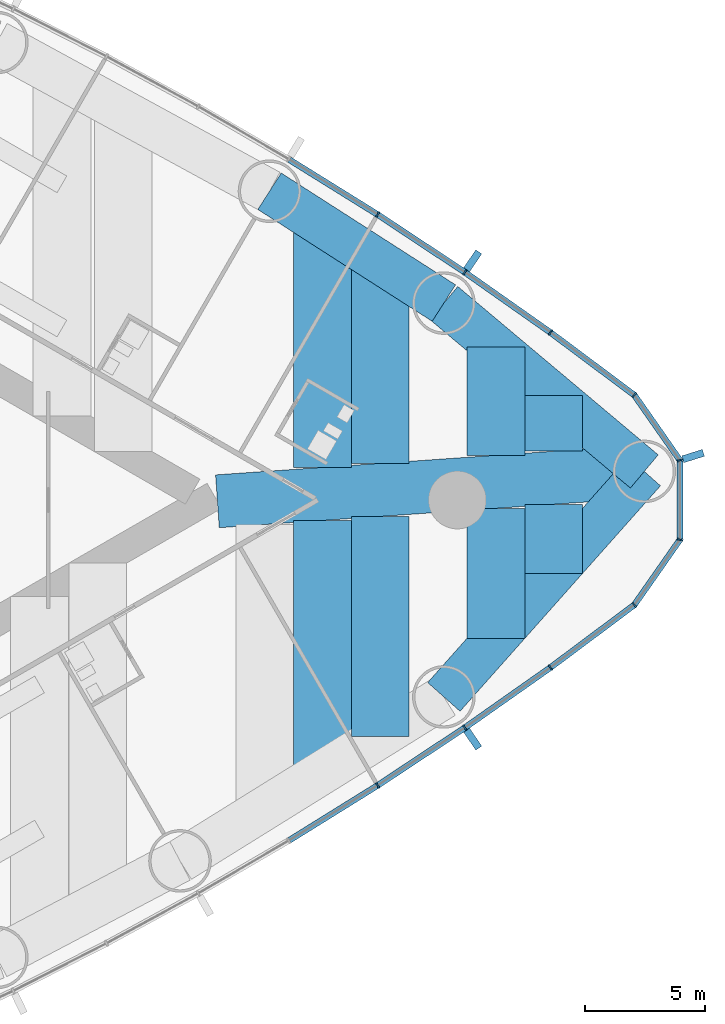
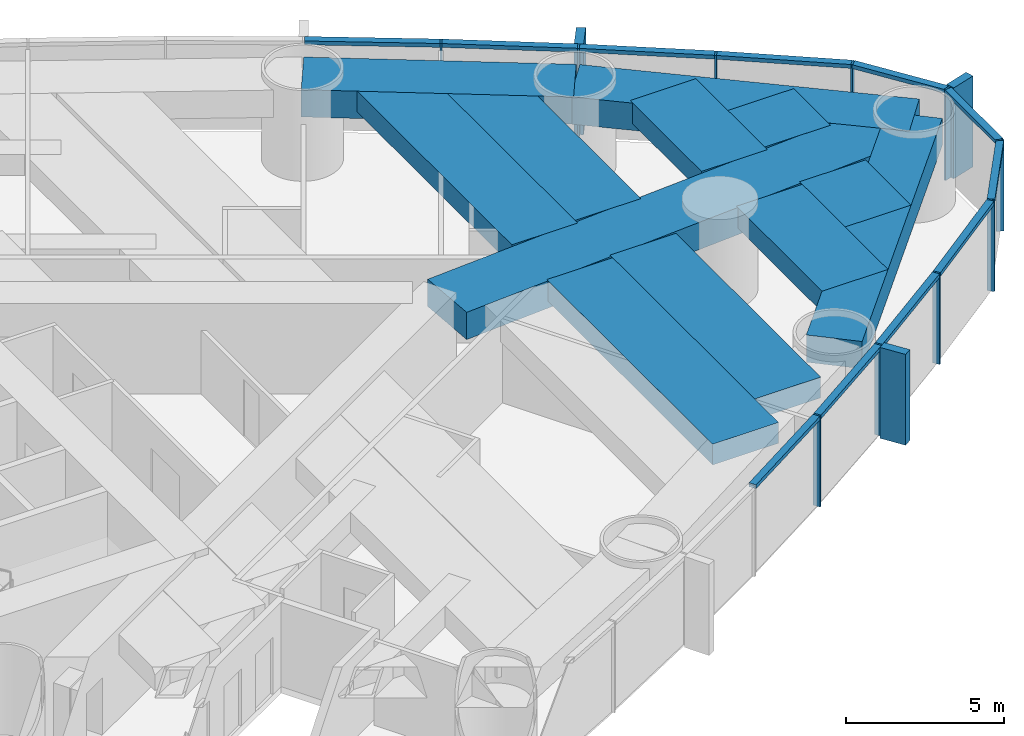
# One storey, part 8 of 18: 24 members, 12 beams, 1 element without a shape of its own.
"""IFC4 building model written with IfcOpenShell, lengths in metres."""

import ifcopenshell
import ifcopenshell.guid

model = None  # the IFC model being written
_history = None  # IfcOwnerHistory: only IFC2X3 demands one
_inside = {}  # id of a spatial element -> (the spatial element, [elements in it])
_under = {}  # id of a project, library or spatial element -> (it, [spatial elements below it])
_declared = {}  # id of a project -> (the project, [libraries it declares])
_typed = {}  # id of a type object -> (the type object, [elements of that type])
_made_of = {}  # id of a material, layer set ... -> (it, [elements and type objects made of it])


def new_model(schema):
    """Start an empty IFC model of exactly this schema.

    Asked for "IFC4X3", IfcOpenShell would pick the latest addendum, in which some entities
    have other attributes; the version numbers below select the first issue.
    IFC2X3 requires an IfcOwnerHistory on every rooted entity: one is made here for all.
    """
    global model, _history
    if schema == "IFC4X3":
        model = ifcopenshell.file(schema_version=(4, 3, 0, 0))
    else:
        model = ifcopenshell.file(schema=schema)
    _inside.clear()
    _under.clear()
    _declared.clear()
    _typed.clear()
    _made_of.clear()
    _history = None
    if model.schema == "IFC2X3":
        org = make("IfcOrganization", Name="unknown")
        user = make(
            "IfcPersonAndOrganization",
            ThePerson=make("IfcPerson", FamilyName="unknown"),
            TheOrganization=org,
        )
        app = make(
            "IfcApplication",
            ApplicationDeveloper=org,
            Version="unknown",
            ApplicationFullName="unknown",
            ApplicationIdentifier="unknown",
        )
        _history = make(
            "IfcOwnerHistory",
            OwningUser=user,
            OwningApplication=app,
            ChangeAction="ADDED",
            CreationDate=0,
        )
    return model


def make(cls, **values):
    """One entity of the class cls with the attributes given. An attribute that is None is left unset."""
    return model.create_entity(
        cls, **{name: value for name, value in values.items() if value is not None}
    )


def rooted(cls, **values):
    """An entity with a GlobalId (a new one), such as an element, a storey or a relation."""
    return make(cls, GlobalId=ifcopenshell.guid.new(), OwnerHistory=_history, **values)


def si_unit(unit_type, name, prefix=None):
    """IfcSIUnit, for example si_unit("LENGTHUNIT", "METRE", prefix="MILLI")."""
    return make("IfcSIUnit", UnitType=unit_type, Prefix=prefix, Name=name)


def assignment(units):
    """IfcUnitAssignment: the units of a project."""
    return None if units is None else make("IfcUnitAssignment", Units=units)


def point(xyz):
    """IfcCartesianPoint."""
    return None if xyz is None else make("IfcCartesianPoint", Coordinates=xyz)


def direction(xyz):
    """IfcDirection."""
    return None if xyz is None else make("IfcDirection", DirectionRatios=xyz)


def frame(location, z_axis=None, x_axis=None):
    """IfcAxis2Placement3D, a coordinate frame: its origin and axes. An axis left out is left unset."""
    return make(
        "IfcAxis2Placement3D",
        Location=point(location),
        Axis=direction(z_axis),
        RefDirection=direction(x_axis),
    )


def frame_2d(location, x_axis=None):
    """IfcAxis2Placement2D, a coordinate frame in the plane: its origin and x axis."""
    return make(
        "IfcAxis2Placement2D", Location=point(location), RefDirection=direction(x_axis)
    )


def origin():
    """The frame at (0, 0, 0) with its axes left unset."""
    return frame((0.0, 0.0, 0.0))


def origin_2d():
    """The frame at (0, 0) in the plane with its x axis left unset."""
    return frame_2d((0.0, 0.0))


def place(relative_to, where):
    """IfcLocalPlacement: puts the frame where relative to a parent placement (None: the world)."""
    return make(
        "IfcLocalPlacement", PlacementRelTo=relative_to, RelativePlacement=where
    )


def context(
    kind, dimensions, precision=None, world=None, true_north=None, identifier=None
):
    """IfcGeometricRepresentationContext, for example the 3D "Model" context."""
    return make(
        "IfcGeometricRepresentationContext",
        ContextIdentifier=identifier,
        ContextType=kind,
        CoordinateSpaceDimension=dimensions,
        Precision=precision,
        WorldCoordinateSystem=world,
        TrueNorth=true_north,
    )


def subcontext(parent, identifier, kind, view, scale=None):
    """IfcGeometricRepresentationSubContext, for example "Body" below "Model"."""
    return make(
        "IfcGeometricRepresentationSubContext",
        ContextIdentifier=identifier,
        ContextType=kind,
        ParentContext=parent,
        TargetScale=scale,
        TargetView=view,
    )


def project(units=None, contexts=None):
    """IfcProject with its units and contexts."""
    return rooted(
        "IfcProject",
        Name="project",
        RepresentationContexts=contexts,
        UnitsInContext=assignment(units),
    )


def spatial(cls, under=None, at=None, **own):
    """A site, building, storey or space (cls), placed at a placement, below another one or the project."""
    s = rooted(cls, ObjectPlacement=at, **own)
    if under is not None:
        _under.setdefault(under.id(), (under, []))[1].append(s)
    return s


def profile(cls, at=None, kind="AREA", **sizes):
    """A parametric profile (cls). Its sizes go by their IFC names, for example OverallWidth=200.0."""
    return make(cls, ProfileType=kind, Position=at, **sizes)


def rectangle(**sizes):
    """IfcRectangleProfileDef."""
    return profile("IfcRectangleProfileDef", **sizes)


def extrude(swept, where, along, depth):
    """IfcExtrudedAreaSolid: the profile swept, set in the frame where, extruded along a direction by depth."""
    return make(
        "IfcExtrudedAreaSolid",
        SweptArea=swept,
        Position=where,
        ExtrudedDirection=direction(along),
        Depth=depth,
    )


def shape(context_of_items, identifier, shape_type, items):
    """IfcShapeRepresentation: the items that make up one representation, for example the "Body"."""
    return make(
        "IfcShapeRepresentation",
        ContextOfItems=context_of_items,
        RepresentationIdentifier=identifier,
        RepresentationType=shape_type,
        Items=items,
    )


def material(Name=None, Category=None):
    """IfcMaterial."""
    return make("IfcMaterial", Name=Name, Category=Category)


def material_profile(
    of_material, cross_section, Name=None, Category=None, Priority=None
):
    """IfcMaterialProfile: a cross section and its material."""
    return make(
        "IfcMaterialProfile",
        Name=Name,
        Material=of_material,
        Profile=cross_section,
        Priority=Priority,
        Category=Category,
    )


def profile_set(profiles, Name=None, composite=None):
    """IfcMaterialProfileSet."""
    return make(
        "IfcMaterialProfileSet",
        Name=Name,
        MaterialProfiles=profiles,
        CompositeProfile=composite,
    )


def made_of(thing, what):
    """Note that an element or type object is made of a material, layer set ...; save() writes the relation."""
    if what is not None:
        _made_of.setdefault(what.id(), (what, []))[1].append(thing)
    return thing


def type_object(cls, material=None, **own):
    """A type object (cls), such as IfcWallType, which elements share."""
    return made_of(rooted(cls, **own), material)


def element(
    cls,
    number,
    at=None,
    inside=None,
    cuts=None,
    type_object=None,
    material=None,
    context=None,
    identifier="Body",
    shape_type=None,
    held_by="IfcProductDefinitionShape",
    body=None,
    shapes=None,
    **own,
):
    """One element of the class cls, such as IfcWall. Its Tag is "e" and its number.

    at: its placement. inside: the storey or other place that contains it. cuts: it is an
    opening in that element (IfcRelVoidsElement). A single representation is given by context,
    identifier, shape_type and body (its items); several are given by shapes. held_by: the class
    of the entity that holds the representations. save() writes the other relations.
    """
    e = rooted(cls, Tag="e%d" % number, ObjectPlacement=at, **own)
    if body is not None:
        shapes = [shape(context, identifier, shape_type, body)]
    if shapes is not None:
        e.Representation = make(held_by, Representations=shapes)
    if inside is not None:
        _inside.setdefault(inside.id(), (inside, []))[1].append(e)
    if cuts is not None:
        rooted(
            "IfcRelVoidsElement", RelatingBuildingElement=cuts, RelatedOpeningElement=e
        )
    if type_object is not None:
        _typed.setdefault(type_object.id(), (type_object, []))[1].append(e)
    return made_of(e, material)


def aggregate(whole, parts):
    """IfcRelAggregates: a whole, such as a stair, and the parts it consists of."""
    return rooted("IfcRelAggregates", RelatingObject=whole, RelatedObjects=parts)


def save(model, path):
    """Write the relations noted so far, then the file.

    IfcRelAggregates (storeys below a building ...), IfcRelContainedInSpatialStructure (elements
    in a storey), IfcRelDefinesByType, IfcRelAssociatesMaterial and IfcRelDeclares: one each for
    every whole, place, type object, material and project.
    """
    for whole, parts in _under.values():
        aggregate(whole, parts)
    for where, things in _inside.values():
        rooted(
            "IfcRelContainedInSpatialStructure",
            RelatedElements=things,
            RelatingStructure=where,
        )
    for kind, things in _typed.values():
        rooted("IfcRelDefinesByType", RelatedObjects=things, RelatingType=kind)
    for what, things in _made_of.values():
        rooted("IfcRelAssociatesMaterial", RelatedObjects=things, RelatingMaterial=what)
    for by, libraries in _declared.values():
        rooted("IfcRelDeclares", RelatingContext=by, RelatedDefinitions=libraries)
    model.write(path)


model = new_model("IFC4")

# Units and contexts
model_context = context("Model", 3, precision=1e-05, world=origin(), true_north=direction((0.0, 1.0)))
body_context = subcontext(model_context, "Body", "Model", "MODEL_VIEW")
ifc_project = project(units=[si_unit("LENGTHUNIT", "METRE"), si_unit("AREAUNIT", "SQUARE_METRE"), si_unit("VOLUMEUNIT", "CUBIC_METRE"), si_unit("PLANEANGLEUNIT", "RADIAN"), si_unit("MASSUNIT", "GRAM", prefix="KILO")], contexts=[model_context])

# Site, building, storey
site_placement = place(None, origin())
site = spatial("IfcSite", under=ifc_project, at=site_placement, CompositionType="ELEMENT")
building_placement = place(site_placement, origin())
building = spatial("IfcBuilding", under=site, at=building_placement, Name="Lancet Gate Hotel", CompositionType="ELEMENT")
storey_placement = place(building_placement, frame((0.0, 0.0, 136.10009765625)))
storey = spatial("IfcBuildingStorey", under=building, at=storey_placement, Name="L36", CompositionType="ELEMENT", Elevation=136.10009765625)

# Curtain wall, members
ifc_material_1 = material(Name="Aluminium curtain wall", Category="aluminium")
curtain_wall_type = type_object("IfcCurtainWallType", Name="Tower unitised curtain wall", PredefinedType="USERDEFINED", material=ifc_material_1)
curtain_wall_placement = place(storey_placement, origin())
curtain_wall = element("IfcCurtainWall", 1, at=curtain_wall_placement, inside=storey, type_object=curtain_wall_type, Name="T2 L36 curtain wall 1", ObjectType="UNITISED CURTAIN WALL", PredefinedType="USERDEFINED")
ifc_material_2 = material(Name="Aluminium mullion", Category="aluminium")
ifc_material_profile_1 = material_profile(ifc_material_2, rectangle(XDim=0.06494140625, YDim=0.25, at=origin_2d()), Name="MULLION 65x250")
ifc_profile_set_1 = profile_set([ifc_material_profile_1], Name="Aluminium mullion")
member_type_1 = type_object("IfcMemberType", Name="Aluminium mullion 65x250", PredefinedType="MULLION", material=ifc_profile_set_1)
member_1_placement = place(storey_placement, frame((58.188720703125, -11.8603515625, 0.0), z_axis=(0.0, 0.0, 1.0), x_axis=(0.841736224144, 0.539888996891, 0.0)))
member_1 = element("IfcMember", 2, at=member_1_placement, type_object=member_type_1, Name="T2 L36 curtain wall 1 mullion 13", PredefinedType="MULLION", context=body_context, shape_type="SweptSolid", body=[
    extrude(rectangle(XDim=0.06494140625, YDim=0.25, at=origin_2d()), origin(), (0.0, 0.0, 1.0), 3.5),
])
member_2_placement = place(storey_placement, frame((61.814208984375, -9.461669921875, 0.0), z_axis=(0.0, 0.0, 1.0), x_axis=(0.826065510491, 0.563574105489, 0.0)))
member_2 = element("IfcMember", 3, at=member_2_placement, type_object=member_type_1, Name="T2 L36 curtain wall 1 mullion 14", PredefinedType="MULLION", context=body_context, shape_type="SweptSolid", body=[
    extrude(rectangle(XDim=0.06494140625, YDim=0.25, at=origin_2d()), origin(), (0.0, 0.0, 1.0), 3.5),
])
member_3_placement = place(storey_placement, frame((65.370361328125, -6.9609375, 0.0), z_axis=(0.0, 0.0, 1.0), x_axis=(0.809728529035, 0.586804660229, 0.0)))
member_3 = element("IfcMember", 4, at=member_3_placement, type_object=member_type_1, Name="T2 L36 curtain wall 1 mullion 15", PredefinedType="MULLION", context=body_context, shape_type="SweptSolid", body=[
    extrude(rectangle(XDim=0.06494140625, YDim=0.25, at=origin_2d()), origin(), (0.0, 0.0, 1.0), 3.5),
])
member_4_placement = place(storey_placement, frame((68.853759765625, -4.360107421875, 0.0), z_axis=(0.0, 0.0, 1.0), x_axis=(0.711610374907, 0.702574319432, 0.0)))
member_4 = element("IfcMember", 5, at=member_4_placement, type_object=member_type_1, Name="T2 L36 curtain wall 1 mullion 16", PredefinedType="MULLION", context=body_context, shape_type="SweptSolid", body=[
    extrude(rectangle(XDim=0.06494140625, YDim=0.25, at=origin_2d()), origin(), (0.0, 0.0, 1.0), 3.5),
])
member_5_placement = place(storey_placement, frame((70.747314453125, -1.652099609375, 0.0), z_axis=(0.0, 0.0, 1.0), x_axis=(0.300384890639, 0.953818073574, 0.0)))
member_5 = element("IfcMember", 6, at=member_5_placement, type_object=member_type_1, Name="T2 L36 curtain wall 1 mullion 17", PredefinedType="MULLION", context=body_context, shape_type="SweptSolid", body=[
    extrude(rectangle(XDim=0.06494140625, YDim=0.25, at=origin_2d()), origin(), (0.0, 0.0, 1.0), 3.5),
])
member_6_placement = place(storey_placement, frame((70.747314453125, 1.652099609375, 0.0), z_axis=(0.0, 0.0, 1.0), x_axis=(-0.300384890639, 0.953818073574, 0.0)))
member_6 = element("IfcMember", 7, at=member_6_placement, type_object=member_type_1, Name="T2 L36 curtain wall 1 mullion 18", PredefinedType="MULLION", context=body_context, shape_type="SweptSolid", body=[
    extrude(rectangle(XDim=0.06494140625, YDim=0.25, at=origin_2d()), origin(), (0.0, 0.0, 1.0), 3.5),
])
member_7_placement = place(storey_placement, frame((68.853759765625, 4.360107421875, 0.0), z_axis=(0.0, 0.0, 1.0), x_axis=(-0.711610374907, 0.702574319432, 0.0)))
member_7 = element("IfcMember", 8, at=member_7_placement, type_object=member_type_1, Name="T2 L36 curtain wall 1 mullion 19", PredefinedType="MULLION", context=body_context, shape_type="SweptSolid", body=[
    extrude(rectangle(XDim=0.06494140625, YDim=0.25, at=origin_2d()), origin(), (0.0, 0.0, 1.0), 3.5),
])
member_8_placement = place(storey_placement, frame((65.370361328125, 6.9609375, 0.0), z_axis=(0.0, 0.0, 1.0), x_axis=(-0.809728529035, 0.586804660229, 0.0)))
member_8 = element("IfcMember", 9, at=member_8_placement, type_object=member_type_1, Name="T2 L36 curtain wall 1 mullion 20", PredefinedType="MULLION", context=body_context, shape_type="SweptSolid", body=[
    extrude(rectangle(XDim=0.06494140625, YDim=0.25, at=origin_2d()), origin(), (0.0, 0.0, 1.0), 3.5),
])
member_9_placement = place(storey_placement, frame((61.814208984375, 9.461669921875, 0.0), z_axis=(0.0, 0.0, 1.0), x_axis=(-0.826065510491, 0.563574105489, 0.0)))
member_9 = element("IfcMember", 10, at=member_9_placement, type_object=member_type_1, Name="T2 L36 curtain wall 1 mullion 21", PredefinedType="MULLION", context=body_context, shape_type="SweptSolid", body=[
    extrude(rectangle(XDim=0.06494140625, YDim=0.25, at=origin_2d()), origin(), (0.0, 0.0, 1.0), 3.5),
])
member_10_placement = place(storey_placement, frame((58.188720703125, 11.8603515625, 0.0), z_axis=(0.0, 0.0, 1.0), x_axis=(-0.841736224144, 0.539888996891, 0.0)))
member_10 = element("IfcMember", 11, at=member_10_placement, type_object=member_type_1, Name="T2 L36 curtain wall 1 mullion 22", PredefinedType="MULLION", context=body_context, shape_type="SweptSolid", body=[
    extrude(rectangle(XDim=0.06494140625, YDim=0.25, at=origin_2d()), origin(), (0.0, 0.0, 1.0), 3.5),
])
ifc_material_3 = material(Name="Aluminium transom", Category="aluminium")
ifc_material_profile_2 = material_profile(ifc_material_3, rectangle(XDim=0.25, YDim=0.14990234375, at=origin_2d()), Name="TRANSOM 250x150")
ifc_profile_set_2 = profile_set([ifc_material_profile_2], Name="Aluminium transom")
member_type_2 = type_object("IfcMemberType", Name="Aluminium transom 250x150", PredefinedType="USERDEFINED", material=ifc_profile_set_2)
member_11_placement = place(storey_placement, frame((54.52392578125, -14.13818359375, 3.4248046875), z_axis=(0.849308812566, 0.527896335371, 0.0), x_axis=(-0.527896335371, 0.849308812566, 0.0)))
member_11 = element("IfcMember", 12, at=member_11_placement, type_object=member_type_2, Name="T2 L36 curtain wall 1 transom 12", ObjectType="TRANSOM", PredefinedType="USERDEFINED", context=body_context, shape_type="SweptSolid", body=[
    extrude(rectangle(XDim=0.25, YDim=0.14990234375, at=origin_2d()), origin(), (0.0, 0.0, 1.0), 4.282470703125),
])
member_12_placement = place(storey_placement, frame((58.2158203125, -11.842529296875, 3.4248046875), z_axis=(0.833966159038, 0.551815590192, 0.0), x_axis=(-0.551815590192, 0.833966159038, 0.0)))
member_12 = element("IfcMember", 13, at=member_12_placement, type_object=member_type_2, Name="T2 L36 curtain wall 1 transom 13", ObjectType="TRANSOM", PredefinedType="USERDEFINED", context=body_context, shape_type="SweptSolid", body=[
    extrude(rectangle(XDim=0.25, YDim=0.14990234375, at=origin_2d()), origin(), (0.0, 0.0, 1.0), 4.2822265625),
])
member_13_placement = place(storey_placement, frame((61.8408203125, -9.44287109375, 3.4248046875), z_axis=(0.817987243547, 0.57523635959, 0.0), x_axis=(-0.57523635959, 0.817987243547, 0.0)))
member_13 = element("IfcMember", 14, at=member_13_placement, type_object=member_type_2, Name="T2 L36 curtain wall 1 transom 14", ObjectType="TRANSOM", PredefinedType="USERDEFINED", context=body_context, shape_type="SweptSolid", body=[
    extrude(rectangle(XDim=0.25, YDim=0.14990234375, at=origin_2d()), origin(), (0.0, 0.0, 1.0), 4.282470703125),
])
member_14_placement = place(storey_placement, frame((65.396240234375, -6.94140625, 3.4248046875), z_axis=(0.801311559064, 0.598247261014, 0.0), x_axis=(-0.598247261014, 0.801311559064, 0.0)))
member_14 = element("IfcMember", 15, at=member_14_placement, type_object=member_type_2, Name="T2 L36 curtain wall 1 transom 15", ObjectType="TRANSOM", PredefinedType="USERDEFINED", context=body_context, shape_type="SweptSolid", body=[
    extrude(rectangle(XDim=0.25, YDim=0.14990234375, at=origin_2d()), origin(), (0.0, 0.0, 1.0), 4.282470703125),
])
member_15_placement = place(storey_placement, frame((68.87255859375, -4.33349609375, 3.4248046875), z_axis=(0.573017137751, 0.819543384967, 0.0), x_axis=(-0.819543384967, 0.573017137751, 0.0)))
member_15 = element("IfcMember", 16, at=member_15_placement, type_object=member_type_2, Name="T2 L36 curtain wall 1 transom 16", ObjectType="TRANSOM", PredefinedType="USERDEFINED", context=body_context, shape_type="SweptSolid", body=[
    extrude(rectangle(XDim=0.25, YDim=0.14990234375, at=origin_2d()), origin(), (0.0, 0.0, 1.0), 3.2392578125),
])
member_16_placement = place(storey_placement, frame((70.747314453125, -1.61962890625, 3.4248046875), z_axis=(0.0, 1.0, 0.0), x_axis=(-1.0, 0.0, 0.0)))
member_16 = element("IfcMember", 17, at=member_16_placement, type_object=member_type_2, Name="T2 L36 curtain wall 1 transom 17", ObjectType="TRANSOM", PredefinedType="USERDEFINED", context=body_context, shape_type="SweptSolid", body=[
    extrude(rectangle(XDim=0.25, YDim=0.14990234375, at=origin_2d()), origin(), (0.0, 0.0, 1.0), 3.2392578125),
])
member_17_placement = place(storey_placement, frame((70.728759765625, 1.6787109375, 3.4248046875), z_axis=(-0.573017137751, 0.819543384967, 0.0), x_axis=(-0.819543384967, -0.573017137751, 0.0)))
member_17 = element("IfcMember", 18, at=member_17_placement, type_object=member_type_2, Name="T2 L36 curtain wall 1 transom 18", ObjectType="TRANSOM", PredefinedType="USERDEFINED", context=body_context, shape_type="SweptSolid", body=[
    extrude(rectangle(XDim=0.25, YDim=0.14990234375, at=origin_2d()), origin(), (0.0, 0.0, 1.0), 3.2392578125),
])
member_18_placement = place(storey_placement, frame((68.827880859375, 4.37939453125, 3.4248046875), z_axis=(-0.801311559064, 0.598247261014, 0.0), x_axis=(-0.598247261014, -0.801311559064, 0.0)))
member_18 = element("IfcMember", 19, at=member_18_placement, type_object=member_type_2, Name="T2 L36 curtain wall 1 transom 19", ObjectType="TRANSOM", PredefinedType="USERDEFINED", context=body_context, shape_type="SweptSolid", body=[
    extrude(rectangle(XDim=0.25, YDim=0.14990234375, at=origin_2d()), origin(), (0.0, 0.0, 1.0), 4.282470703125),
])
member_19_placement = place(storey_placement, frame((65.34375, 6.9794921875, 3.4248046875), z_axis=(-0.817987243547, 0.57523635959, 0.0), x_axis=(-0.57523635959, -0.817987243547, 0.0)))
member_19 = element("IfcMember", 20, at=member_19_placement, type_object=member_type_2, Name="T2 L36 curtain wall 1 transom 20", ObjectType="TRANSOM", PredefinedType="USERDEFINED", context=body_context, shape_type="SweptSolid", body=[
    extrude(rectangle(XDim=0.25, YDim=0.14990234375, at=origin_2d()), origin(), (0.0, 0.0, 1.0), 4.282470703125),
])
member_20_placement = place(storey_placement, frame((61.787109375, 9.4794921875, 3.4248046875), z_axis=(-0.833966159038, 0.551815590192, 0.0), x_axis=(-0.551815590192, -0.833966159038, 0.0)))
member_20 = element("IfcMember", 21, at=member_20_placement, type_object=member_type_2, Name="T2 L36 curtain wall 1 transom 21", ObjectType="TRANSOM", PredefinedType="USERDEFINED", context=body_context, shape_type="SweptSolid", body=[
    extrude(rectangle(XDim=0.25, YDim=0.14990234375, at=origin_2d()), origin(), (0.0, 0.0, 1.0), 4.2822265625),
])
member_21_placement = place(storey_placement, frame((58.1611328125, 11.87744140625, 3.4248046875), z_axis=(-0.849308812566, 0.527896335371, 0.0), x_axis=(-0.527896335371, -0.849308812566, 0.0)))
member_21 = element("IfcMember", 22, at=member_21_placement, type_object=member_type_2, Name="T2 L36 curtain wall 1 transom 22", ObjectType="TRANSOM", PredefinedType="USERDEFINED", context=body_context, shape_type="SweptSolid", body=[
    extrude(rectangle(XDim=0.25, YDim=0.14990234375, at=origin_2d()), origin(), (0.0, 0.0, 1.0), 4.282470703125),
])

# Beams
ifc_material_4 = material(Name="Concrete C50/60", Category="concrete")
ifc_material_profile_3 = material_profile(ifc_material_4, rectangle(XDim=1.800048828125, YDim=1.050048828125, at=origin_2d()), Name="RC 1800x1050")
ifc_profile_set_3 = profile_set([ifc_material_profile_3], Name="Concrete C50/60")
beam_type_1 = type_object("IfcBeamType", Name="Edge beam RC 1800x1050", PredefinedType="SPANDREL", material=ifc_profile_set_3)
beam_1_placement = place(storey_placement, frame((60.940673828125, -8.18115234375, 2.724853515625), z_axis=(0.664421866815, 0.74735773422, 0.0), x_axis=(-0.74735773422, 0.664421866815, 0.0)))
element("IfcBeam", 23, at=beam_1_placement, inside=storey, type_object=beam_type_1, Name="T2 edge beam EB1 L36", PredefinedType="SPANDREL", context=body_context, shape_type="SweptSolid", body=[
    extrude(rectangle(XDim=1.800048828125, YDim=1.050048828125, at=origin_2d()), origin(), (0.0, 0.0, 1.0), 12.534423828125),
])
beam_2_placement = place(storey_placement, frame((69.268798828125, 1.1865234375, 2.724853515625), z_axis=(-0.765749969712, 0.643138386264, 0.0), x_axis=(-0.643138386264, -0.765749969712, 0.0)))
element("IfcBeam", 24, at=beam_2_placement, inside=storey, type_object=beam_type_1, Name="T2 edge beam EB1 L36", PredefinedType="SPANDREL", context=body_context, shape_type="SweptSolid", body=[
    extrude(rectangle(XDim=1.800048828125, YDim=1.050048828125, at=origin_2d()), origin(), (0.0, 0.0, 1.0), 10.875732421875),
])
beam_3_placement = place(storey_placement, frame((60.940673828125, 8.18115234375, 2.724853515625), z_axis=(-0.841727408736, 0.539902740669, 0.0), x_axis=(-0.539902740669, -0.841727408736, 0.0)))
element("IfcBeam", 25, at=beam_3_placement, inside=storey, type_object=beam_type_1, Name="T2 edge beam EB1 L36", PredefinedType="SPANDREL", context=body_context, shape_type="SweptSolid", body=[
    extrude(rectangle(XDim=1.800048828125, YDim=1.050048828125, at=origin_2d()), origin(), (0.0, 0.0, 1.0), 8.605712890625),
])

# Member
ifc_material_5 = material(Name="Precast concrete C50/60", Category="concrete")
ifc_material_profile_4 = material_profile(ifc_material_5, rectangle(XDim=0.300048828125, YDim=0.89990234375, at=origin_2d()), Name="FIN 300x900")
ifc_profile_set_4 = profile_set([ifc_material_profile_4], Name="Precast concrete C50/60")
member_type_3 = type_object("IfcMemberType", Name="Exposed concrete fin 300x900", PredefinedType="USERDEFINED", material=ifc_profile_set_4)
member_22_placement = place(storey_placement, frame((62.138427734375, -9.9365234375, 0.0), z_axis=(0.0, 0.0, 1.0), x_axis=(0.826065510491, 0.563574105489, 0.0)))
member_22 = element("IfcMember", 26, at=member_22_placement, type_object=member_type_3, Name="T2 L36 curtain wall 1 fin 14", ObjectType="FIN", PredefinedType="USERDEFINED", context=body_context, shape_type="SweptSolid", body=[
    extrude(rectangle(XDim=0.300048828125, YDim=0.89990234375, at=origin_2d()), origin(), (0.0, 0.0, 1.0), 3.5),
])

member_23_placement = place(storey_placement, frame((71.295654296875, 1.824951171875, 0.0), z_axis=(0.0, 0.0, 1.0), x_axis=(-0.300384890639, 0.953818073574, 0.0)))
member_23 = element("IfcMember", 27, at=member_23_placement, type_object=member_type_3, Name="T2 L36 curtain wall 1 fin 18", ObjectType="FIN", PredefinedType="USERDEFINED", context=body_context, shape_type="SweptSolid", body=[
    extrude(rectangle(XDim=0.300048828125, YDim=0.89990234375, at=origin_2d()), origin(), (0.0, 0.0, 1.0), 3.5),
])

member_24_placement = place(storey_placement, frame((62.138427734375, 9.9365234375, 0.0), z_axis=(0.0, 0.0, 1.0), x_axis=(-0.826065510491, 0.563574105489, 0.0)))
member_24 = element("IfcMember", 28, at=member_24_placement, type_object=member_type_3, Name="T2 L36 curtain wall 1 fin 21", ObjectType="FIN", PredefinedType="USERDEFINED", context=body_context, shape_type="SweptSolid", body=[
    extrude(rectangle(XDim=0.300048828125, YDim=0.89990234375, at=origin_2d()), origin(), (0.0, 0.0, 1.0), 3.5),
])

aggregate(curtain_wall, [member_1, member_2, member_22, member_3, member_4, member_5, member_6, member_23, member_7, member_8, member_9, member_24, member_10, member_11, member_12, member_13, member_14, member_15, member_16, member_17, member_18, member_19, member_20, member_21])

# Beams
ifc_material_6 = material(Name="Concrete C50/60", Category="concrete")
ifc_material_profile_5 = material_profile(ifc_material_6, rectangle(XDim=2.39990234375, YDim=0.800048828125, at=origin_2d()), Name="RC 2400x800")
ifc_profile_set_5 = profile_set([ifc_material_profile_5], Name="Concrete C50/60")
beam_type_2 = type_object("IfcBeamType", Name="Floor beam RC 2400x800", PredefinedType="BEAM", material=ifc_profile_set_5)
beam_4_placement = place(storey_placement, frame((55.90234375, -11.312744140625, 2.849853515625), z_axis=(0.0, 1.0, 0.0), x_axis=(-1.0, 0.0, 0.0)))
element("IfcBeam", 29, at=beam_4_placement, inside=storey, type_object=beam_type_2, Name="T2 floor beam F14S L36", PredefinedType="BEAM", context=body_context, shape_type="SweptSolid", body=[
    extrude(rectangle(XDim=2.39990234375, YDim=0.800048828125, at=origin_2d()), origin(), (0.0, 0.0, 1.0), 10.4619140625),
])
beam_5_placement = place(storey_placement, frame((55.90234375, 1.3544921875, 2.849853515625), z_axis=(0.0, 1.0, 0.0), x_axis=(-1.0, 0.0, 0.0)))
element("IfcBeam", 30, at=beam_5_placement, inside=storey, type_object=beam_type_2, Name="T2 floor beam F15N L36", PredefinedType="BEAM", context=body_context, shape_type="SweptSolid", body=[
    extrude(rectangle(XDim=2.39990234375, YDim=0.800048828125, at=origin_2d()), origin(), (0.0, 0.0, 1.0), 10.058349609375),
])
beam_6_placement = place(storey_placement, frame((58.30224609375, -9.821044921875, 2.849853515625), z_axis=(0.0, 1.0, 0.0), x_axis=(-1.0, 0.0, 0.0)))
element("IfcBeam", 31, at=beam_6_placement, inside=storey, type_object=beam_type_2, Name="T2 floor beam F16S L36", PredefinedType="BEAM", context=body_context, shape_type="SweptSolid", body=[
    extrude(rectangle(XDim=2.39990234375, YDim=0.800048828125, at=origin_2d()), origin(), (0.0, 0.0, 1.0), 9.137939453125),
])
beam_7_placement = place(storey_placement, frame((58.30224609375, 1.522216796875, 2.849853515625), z_axis=(0.0, 1.0, 0.0), x_axis=(-1.0, 0.0, 0.0)))
element("IfcBeam", 32, at=beam_7_placement, inside=storey, type_object=beam_type_2, Name="T2 floor beam F17N L36", PredefinedType="BEAM", context=body_context, shape_type="SweptSolid", body=[
    extrude(rectangle(XDim=2.39990234375, YDim=0.800048828125, at=origin_2d()), origin(), (0.0, 0.0, 1.0), 8.351318359375),
])
beam_8_placement = place(storey_placement, frame((63.102294921875, -5.75, 2.849853515625), z_axis=(0.0, 1.0, 0.0), x_axis=(-1.0, 0.0, 0.0)))
element("IfcBeam", 33, at=beam_8_placement, inside=storey, type_object=beam_type_2, Name="T2 floor beam F18S L36", PredefinedType="BEAM", context=body_context, shape_type="SweptSolid", body=[
    extrude(rectangle(XDim=2.39990234375, YDim=0.800048828125, at=origin_2d()), origin(), (0.0, 0.0, 1.0), 5.402587890625),
])
beam_9_placement = place(storey_placement, frame((63.102294921875, 1.85791015625, 2.849853515625), z_axis=(0.0, 1.0, 0.0), x_axis=(-1.0, 0.0, 0.0)))
element("IfcBeam", 34, at=beam_9_placement, inside=storey, type_object=beam_type_2, Name="T2 floor beam F19N L36", PredefinedType="BEAM", context=body_context, shape_type="SweptSolid", body=[
    extrude(rectangle(XDim=2.39990234375, YDim=0.800048828125, at=origin_2d()), origin(), (0.0, 0.0, 1.0), 4.5078125),
])
beam_10_placement = place(storey_placement, frame((65.502197265625, -3.05029296875, 2.849853515625), z_axis=(0.0, 1.0, 0.0), x_axis=(-1.0, 0.0, 0.0)))
element("IfcBeam", 35, at=beam_10_placement, inside=storey, type_object=beam_type_2, Name="T2 floor beam F20S L36", PredefinedType="BEAM", context=body_context, shape_type="SweptSolid", body=[
    extrude(rectangle(XDim=2.39990234375, YDim=0.800048828125, at=origin_2d()), origin(), (0.0, 0.0, 1.0), 2.87060546875),
])
beam_11_placement = place(storey_placement, frame((65.502197265625, 2.02587890625, 2.849853515625), z_axis=(0.0, 1.0, 0.0), x_axis=(-1.0, 0.0, 0.0)))
element("IfcBeam", 36, at=beam_11_placement, inside=storey, type_object=beam_type_2, Name="T2 floor beam F21N L36", PredefinedType="BEAM", context=body_context, shape_type="SweptSolid", body=[
    extrude(rectangle(XDim=2.39990234375, YDim=0.800048828125, at=origin_2d()), origin(), (0.0, 0.0, 1.0), 2.32421875),
])
ifc_material_7 = material(Name="Concrete C50/60", Category="concrete")
ifc_material_profile_6 = material_profile(ifc_material_7, rectangle(XDim=2.199951171875, YDim=1.050048828125, at=origin_2d()), Name="RC 2200x1050")
ifc_profile_set_6 = profile_set([ifc_material_profile_6], Name="Concrete C50/60")
beam_type_3 = type_object("IfcBeamType", Name="Radial floor beam RC 2200x1050", PredefinedType="BEAM", material=ifc_profile_set_6)
beam_12_placement = place(storey_placement, frame((69.268798828125, 1.1865234375, 2.724853515625), z_axis=(-0.99756389092, -0.069758752369, 0.0), x_axis=(0.069758752369, -0.99756389092, 0.0)))
element("IfcBeam", 37, at=beam_12_placement, inside=storey, type_object=beam_type_3, Name="T2 radial beam CA L36", PredefinedType="BEAM", context=body_context, shape_type="SweptSolid", body=[
    extrude(rectangle(XDim=2.199951171875, YDim=1.050048828125, at=origin_2d()), origin(), (0.0, 0.0, 1.0), 17.77880859375),
])

save(model, "model.ifc")
